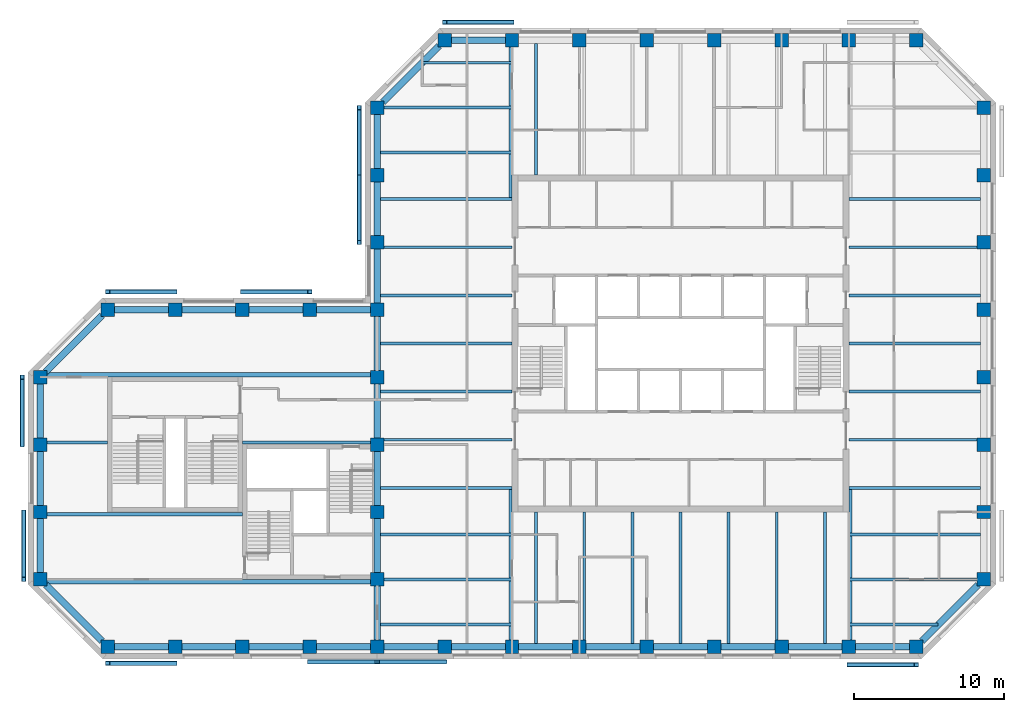
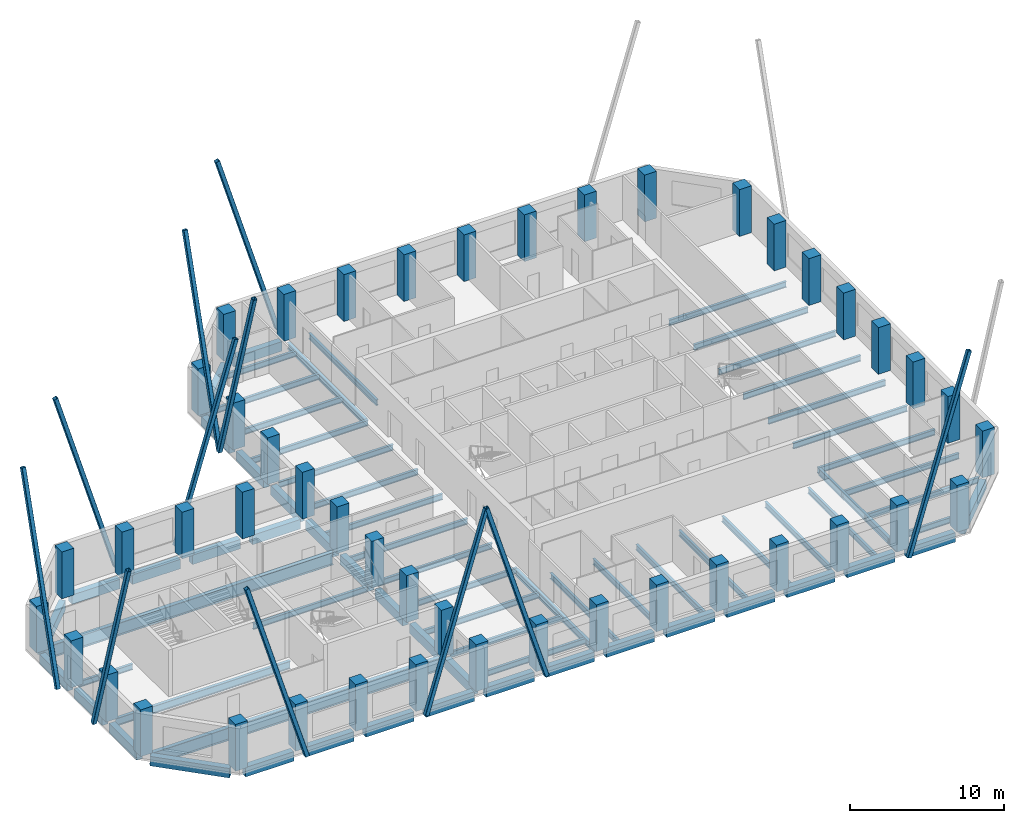
# One storey, part 1 of 9: 71 beams, 45 columns, 11 members.
"""IFC4 building model written with IfcOpenShell, lengths in metres."""

from ifc_helpers import new_model, si_unit, direction, frame, origin, origin_2d, place, context, subcontext, project, spatial, rectangle, hollow_rectangle, i_section, extrude, material, material_profile, profile_set, type_object, element, save


model = new_model("IFC4")

# Units and contexts
model_context = context("Model", 3, precision=1e-05, world=origin(), true_north=direction((0.0, 1.0)))
body_context = subcontext(model_context, "Body", "Model", "MODEL_VIEW")
ifc_project = project(units=[si_unit("LENGTHUNIT", "METRE"), si_unit("AREAUNIT", "SQUARE_METRE"), si_unit("VOLUMEUNIT", "CUBIC_METRE"), si_unit("PLANEANGLEUNIT", "RADIAN"), si_unit("MASSUNIT", "GRAM", prefix="KILO")], contexts=[model_context])

# Site, building, storey
site_placement = place(None, origin())
site = spatial("IfcSite", under=ifc_project, at=site_placement, CompositionType="ELEMENT")
building_placement = place(site_placement, origin())
building = spatial("IfcBuilding", under=site, at=building_placement, Name="Quoin Convention Tower", CompositionType="ELEMENT")
storey_placement = place(building_placement, frame((0.0, 0.0, 173.60009765625)))
storey = spatial("IfcBuildingStorey", under=building, at=storey_placement, Name="L45", CompositionType="ELEMENT", Elevation=173.60009765625)

# Columns
ifc_material_1 = material(Name="Concrete C50", Category="concrete")
ifc_material_profile_1 = material_profile(ifc_material_1, rectangle(XDim=0.89990234375, YDim=0.89990234375, at=origin_2d()), Name="RC 900x900")
ifc_profile_set_1 = profile_set([ifc_material_profile_1], Name="Concrete C50")
column_type = type_object("IfcColumnType", Name="RC 900x900 C50", PredefinedType="COLUMN", material=ifc_profile_set_1)
for number, where, z_axis, x_axis, name in (
    (1, (18.0, 40.5, 0.0), (0.0, 0.0, 1.0), (1.0, 0.0, 0.0), "col-L45-18000_40500"),
    (2, (22.5, 40.5, 0.0), (0.0, 0.0, 1.0), (1.0, 0.0, 0.0), "col-L45-22500_40500"),
    (3, (27.0, 40.5, 0.0), (0.0, 0.0, 1.0), (1.0, 0.0, 0.0), "col-L45-27000_40500"),
    (4, (31.5, 40.5, 0.0), (0.0, 0.0, 1.0), (1.0, 0.0, 0.0), "col-L45-31500_40500"),
    (5, (36.0, 40.5, 0.0), (0.0, 0.0, 1.0), (1.0, 0.0, 0.0), "col-L45-36000_40500"),
    (6, (40.5, 40.5, 0.0), (0.0, 0.0, 1.0), (1.0, 0.0, 0.0), "col-L45-40500_40500"),
    (7, (45.0, 40.5, 0.0), (0.0, 0.0, 1.0), (1.0, 0.0, 0.0), "col-L45-45000_40500"),
    (8, (49.5, 40.5, 0.0), (0.0, 0.0, 1.0), (1.0, 0.0, 0.0), "col-L45-49500_40500"),
    (9, (54.0, 40.5, 0.0), (0.0, 0.0, 1.0), (1.0, 0.0, 0.0), "col-L45-54000_40500"),
    (10, (58.5, 40.5, 0.0), (0.0, 0.0, 1.0), (1.0, 0.0, 0.0), "col-L45-58500_40500"),
    (11, (63.0, 40.5, 0.0), (0.0, 0.0, 1.0), (1.0, 0.0, 0.0), "col-L45-63000_40500"),
    (12, (67.5, 40.5, 0.0), (0.0, 0.0, 1.0), (1.0, 0.0, 0.0), "col-L45-67500_40500"),
    (13, (72.0, 40.5, 0.0), (0.0, 0.0, 1.0), (1.0, 0.0, 0.0), "col-L45-72000_40500"),
    (14, (13.5, 45.0, 0.0), (0.0, 0.0, 1.0), (1.0, 0.0, 0.0), "col-L45-13500_45000"),
    (15, (36.0, 45.0, 0.0), (0.0, 0.0, 1.0), (1.0, 0.0, 0.0), "web-L45-36000_45000"),
    (16, (76.5, 45.0, 0.0), (0.0, 0.0, 1.0), (1.0, 0.0, 0.0), "col-L45-76500_45000"),
    (17, (13.5, 49.5, 0.0), (0.0, 0.0, 1.0), (1.0, 0.0, 0.0), "col-L45-13500_49500"),
    (18, (36.0, 49.5, 0.0), (0.0, 0.0, 1.0), (1.0, 0.0, 0.0), "web-L45-36000_49500"),
    (19, (76.5, 49.5, 0.0), (0.0, 0.0, 1.0), (1.0, 0.0, 0.0), "col-L45-76500_49500"),
    (20, (13.5, 54.0, 0.0), (0.0, 0.0, 1.0), (1.0, 0.0, 0.0), "col-L45-13500_54000"),
    (21, (36.0, 54.0, 0.0), (0.0, 0.0, 1.0), (1.0, 0.0, 0.0), "web-L45-36000_54000"),
    (22, (76.5, 54.0, 0.0), (0.0, 0.0, 1.0), (1.0, 0.0, 0.0), "col-L45-76500_54000"),
    (23, (13.5, 58.5, 0.0), (0.0, 0.0, 1.0), (1.0, 0.0, 0.0), "col-L45-13500_58500"),
    (24, (36.0, 58.5, 0.0), (0.0, 0.0, 1.0), (1.0, 0.0, 0.0), "web-L45-36000_58500"),
    (25, (76.5, 58.5, 0.0), (0.0, 0.0, 1.0), (1.0, 0.0, 0.0), "col-L45-76500_58500"),
    (26, (18.0, 63.0, 0.0), (0.0, 0.0, 1.0), (1.0, 0.0, 0.0), "col-L45-18000_63000"),
    (27, (22.5, 63.0, 0.0), (0.0, 0.0, 1.0), (1.0, 0.0, 0.0), "col-L45-22500_63000"),
    (28, (27.0, 63.0, 0.0), (0.0, 0.0, 1.0), (1.0, 0.0, 0.0), "col-L45-27000_63000"),
    (29, (31.5, 63.0, 0.0), (0.0, 0.0, 1.0), (1.0, 0.0, 0.0), "col-L45-31500_63000"),
    (30, (36.0, 63.0, 0.0), (0.0, 0.0, 1.0), (1.0, 0.0, 0.0), "col-L45-36000_63000"),
    (31, (76.5, 63.0, 0.0), (0.0, 0.0, 1.0), (1.0, 0.0, 0.0), "col-L45-76500_63000"),
    (32, (36.0, 67.5, 0.0), (0.0, 0.0, 1.0), (1.0, 0.0, 0.0), "col-L45-36000_67500"),
    (33, (76.5, 67.5, 0.0), (0.0, 0.0, 1.0), (1.0, 0.0, 0.0), "col-L45-76500_67500"),
    (34, (36.0, 72.0, 0.0), (0.0, 0.0, 1.0), (1.0, 0.0, 0.0), "col-L45-36000_72000"),
    (35, (76.5, 72.0, 0.0), (0.0, 0.0, 1.0), (1.0, 0.0, 0.0), "col-L45-76500_72000"),
    (36, (36.0, 76.5, 0.0), (0.0, 0.0, 1.0), (1.0, 0.0, 0.0), "col-L45-36000_76500"),
    (37, (76.5, 76.5, 0.0), (0.0, 0.0, 1.0), (1.0, 0.0, 0.0), "col-L45-76500_76500"),
    (38, (40.5, 81.0, 0.0), (0.0, 0.0, 1.0), (1.0, 0.0, 0.0), "col-L45-40500_81000"),
    (39, (45.0, 81.0, 0.0), (0.0, 0.0, 1.0), (1.0, 0.0, 0.0), "col-L45-45000_81000"),
    (40, (49.5, 81.0, 0.0), (0.0, 0.0, 1.0), (1.0, 0.0, 0.0), "col-L45-49500_81000"),
    (41, (54.0, 81.0, 0.0), (0.0, 0.0, 1.0), (1.0, 0.0, 0.0), "col-L45-54000_81000"),
    (42, (58.5, 81.0, 0.0), (0.0, 0.0, 1.0), (1.0, 0.0, 0.0), "col-L45-58500_81000"),
    (43, (63.0, 81.0, 0.0), (0.0, 0.0, 1.0), (1.0, 0.0, 0.0), "col-L45-63000_81000"),
    (44, (67.5, 81.0, 0.0), (0.0, 0.0, 1.0), (1.0, 0.0, 0.0), "col-L45-67500_81000"),
    (45, (72.0, 81.0, 0.0), (0.0, 0.0, 1.0), (1.0, 0.0, 0.0), "col-L45-72000_81000"),
):
    element("IfcColumn", number, at=place(storey_placement, frame(where, z_axis=z_axis, x_axis=x_axis)), inside=storey, type_object=column_type, Name=name, PredefinedType="COLUMN", context=body_context, shape_type="SweptSolid", body=[
        extrude(rectangle(XDim=0.89990234375, YDim=0.89990234375, at=origin_2d()), origin(), (0.0, 0.0, 1.0), 3.699951171875),
    ])

# Beams
ifc_material_2 = material(Name="Steel Grade 300", Category="steel")
ifc_material_profile_2 = material_profile(ifc_material_2, i_section(OverallWidth=0.300048828125, OverallDepth=1.0, WebThickness=0.01611328125, FlangeThickness=0.02001953125, at=origin_2d()), Name="1000WB215")
ifc_profile_set_2 = profile_set([ifc_material_profile_2], Name="Steel Grade 300")
beam_type_1 = type_object("IfcBeamType", Name="1000WB215", PredefinedType="BEAM", material=ifc_profile_set_2)
for number, where, z_axis, x_axis, name in (
    (46, (13.949951171875, 44.85009765625, -0.650146484375), (1.0, 0.0, 0.0), (0.0, 1.0, 0.0), "gir-L45-ST2-1-0"),
    (47, (13.949951171875, 58.64990234375, -0.650146484375), (1.0, 0.0, 0.0), (0.0, 1.0, 0.0), "gir-L45-ST2-4-0"),
):
    element("IfcBeam", number, at=place(storey_placement, frame(where, z_axis=z_axis, x_axis=x_axis)), inside=storey, type_object=beam_type_1, Name=name, PredefinedType="BEAM", context=body_context, shape_type="SweptSolid", body=[
        extrude(i_section(OverallWidth=0.300048828125, OverallDepth=1.0, WebThickness=0.01611328125, FlangeThickness=0.02001953125, at=origin_2d()), origin(), (0.0, 0.0, 1.0), 21.60009765625),
    ])
ifc_material_profile_3 = material_profile(ifc_material_2, i_section(OverallWidth=0.18994140625, OverallDepth=0.4541015625, WebThickness=0.008544921875, FlangeThickness=0.0126953125, FilletRadius=0.011474609375, at=origin_2d()), Name="460UB67.1")
ifc_profile_set_3 = profile_set([ifc_material_profile_3], Name="Steel Grade 300")
beam_type_2 = type_object("IfcBeamType", Name="460UB67.1", PredefinedType="BEAM", material=ifc_profile_set_3)
beam_1_placement = place(storey_placement, frame((36.22509765625, 51.107177734375, -0.377197265625), z_axis=(1.0, 0.0, 0.0), x_axis=(0.0, 1.0, 0.0)))
element("IfcBeam", 48, at=beam_1_placement, inside=storey, type_object=beam_type_2, Name="bm-L45-T1W0", PredefinedType="BEAM", context=body_context, shape_type="SweptSolid", body=[
    extrude(i_section(OverallWidth=0.18994140625, OverallDepth=0.4541015625, WebThickness=0.008544921875, FlangeThickness=0.0126953125, FilletRadius=0.011474609375, at=origin_2d()), origin(), (0.0, 0.0, 1.0), 8.77490234375),
])
beam_2_placement = place(storey_placement, frame((36.449951171875, 54.3212890625, -0.377197265625), z_axis=(1.0, 0.0, 0.0), x_axis=(0.0, 1.0, 0.0)))
element("IfcBeam", 49, at=beam_2_placement, inside=storey, type_object=beam_type_2, Name="bm-L45-T1W1", PredefinedType="BEAM", context=body_context, shape_type="SweptSolid", body=[
    extrude(i_section(OverallWidth=0.18994140625, OverallDepth=0.4541015625, WebThickness=0.008544921875, FlangeThickness=0.0126953125, FilletRadius=0.011474609375, at=origin_2d()), origin(), (0.0, 0.0, 1.0), 8.550048828125),
])
for number, where, z_axis, x_axis, name in (
    (50, (36.22509765625, 57.53564453125, -0.377197265625), (1.0, 0.0, 0.0), (0.0, 1.0, 0.0), "bm-L45-T1W2"),
    (51, (36.22509765625, 60.75, -0.377197265625), (1.0, 0.0, 0.0), (0.0, 1.0, 0.0), "bm-L45-T1W3"),
    (52, (36.22509765625, 63.96435546875, -0.377197265625), (1.0, 0.0, 0.0), (0.0, 1.0, 0.0), "bm-L45-T1W4"),
):
    element("IfcBeam", number, at=place(storey_placement, frame(where, z_axis=z_axis, x_axis=x_axis)), inside=storey, type_object=beam_type_2, Name=name, PredefinedType="BEAM", context=body_context, shape_type="SweptSolid", body=[
        extrude(i_section(OverallWidth=0.18994140625, OverallDepth=0.4541015625, WebThickness=0.008544921875, FlangeThickness=0.0126953125, FilletRadius=0.011474609375, at=origin_2d()), origin(), (0.0, 0.0, 1.0), 8.77490234375),
    ])
beam_3_placement = place(storey_placement, frame((36.449951171875, 67.1787109375, -0.377197265625), z_axis=(1.0, 0.0, 0.0), x_axis=(0.0, 1.0, 0.0)))
element("IfcBeam", 53, at=beam_3_placement, inside=storey, type_object=beam_type_2, Name="bm-L45-T1W5", PredefinedType="BEAM", context=body_context, shape_type="SweptSolid", body=[
    extrude(i_section(OverallWidth=0.18994140625, OverallDepth=0.4541015625, WebThickness=0.008544921875, FlangeThickness=0.0126953125, FilletRadius=0.011474609375, at=origin_2d()), origin(), (0.0, 0.0, 1.0), 8.550048828125),
])
for number, where, z_axis, x_axis, name in (
    (54, (36.22509765625, 70.392822265625, -0.377197265625), (1.0, 0.0, 0.0), (0.0, 1.0, 0.0), "bm-L45-T1W6"),
    (55, (67.5, 51.107177734375, -0.377197265625), (1.0, 0.0, 0.0), (0.0, 1.0, 0.0), "bm-L45-T1E0"),
):
    element("IfcBeam", number, at=place(storey_placement, frame(where, z_axis=z_axis, x_axis=x_axis)), inside=storey, type_object=beam_type_2, Name=name, PredefinedType="BEAM", context=body_context, shape_type="SweptSolid", body=[
        extrude(i_section(OverallWidth=0.18994140625, OverallDepth=0.4541015625, WebThickness=0.008544921875, FlangeThickness=0.0126953125, FilletRadius=0.011474609375, at=origin_2d()), origin(), (0.0, 0.0, 1.0), 8.77490234375),
    ])
beam_4_placement = place(storey_placement, frame((67.5, 54.3212890625, -0.377197265625), z_axis=(1.0, 0.0, 0.0), x_axis=(0.0, 1.0, 0.0)))
element("IfcBeam", 56, at=beam_4_placement, inside=storey, type_object=beam_type_2, Name="bm-L45-T1E1", PredefinedType="BEAM", context=body_context, shape_type="SweptSolid", body=[
    extrude(i_section(OverallWidth=0.18994140625, OverallDepth=0.4541015625, WebThickness=0.008544921875, FlangeThickness=0.0126953125, FilletRadius=0.011474609375, at=origin_2d()), origin(), (0.0, 0.0, 1.0), 8.550048828125),
])
for number, where, z_axis, x_axis, name in (
    (57, (67.5, 57.53564453125, -0.377197265625), (1.0, 0.0, 0.0), (0.0, 1.0, 0.0), "bm-L45-T1E2"),
    (58, (67.5, 60.75, -0.377197265625), (1.0, 0.0, 0.0), (0.0, 1.0, 0.0), "bm-L45-T1E3"),
    (59, (67.5, 63.96435546875, -0.377197265625), (1.0, 0.0, 0.0), (0.0, 1.0, 0.0), "bm-L45-T1E4"),
):
    element("IfcBeam", number, at=place(storey_placement, frame(where, z_axis=z_axis, x_axis=x_axis)), inside=storey, type_object=beam_type_2, Name=name, PredefinedType="BEAM", context=body_context, shape_type="SweptSolid", body=[
        extrude(i_section(OverallWidth=0.18994140625, OverallDepth=0.4541015625, WebThickness=0.008544921875, FlangeThickness=0.0126953125, FilletRadius=0.011474609375, at=origin_2d()), origin(), (0.0, 0.0, 1.0), 8.77490234375),
    ])
beam_5_placement = place(storey_placement, frame((67.5, 67.1787109375, -0.377197265625), z_axis=(1.0, 0.0, 0.0), x_axis=(0.0, 1.0, 0.0)))
element("IfcBeam", 60, at=beam_5_placement, inside=storey, type_object=beam_type_2, Name="bm-L45-T1E5", PredefinedType="BEAM", context=body_context, shape_type="SweptSolid", body=[
    extrude(i_section(OverallWidth=0.18994140625, OverallDepth=0.4541015625, WebThickness=0.008544921875, FlangeThickness=0.0126953125, FilletRadius=0.011474609375, at=origin_2d()), origin(), (0.0, 0.0, 1.0), 8.550048828125),
])
for number, where, z_axis, x_axis, name in (
    (61, (67.5, 70.392822265625, -0.377197265625), (1.0, 0.0, 0.0), (0.0, 1.0, 0.0), "bm-L45-T1E6"),
    (62, (46.607177734375, 40.72509765625, -0.377197265625), (0.0, 1.0, 0.0), (-1.0, 0.0, 0.0), "bm-L45-T1S0"),
):
    element("IfcBeam", number, at=place(storey_placement, frame(where, z_axis=z_axis, x_axis=x_axis)), inside=storey, type_object=beam_type_2, Name=name, PredefinedType="BEAM", context=body_context, shape_type="SweptSolid", body=[
        extrude(i_section(OverallWidth=0.18994140625, OverallDepth=0.4541015625, WebThickness=0.008544921875, FlangeThickness=0.0126953125, FilletRadius=0.011474609375, at=origin_2d()), origin(), (0.0, 0.0, 1.0), 8.77490234375),
    ])
beam_6_placement = place(storey_placement, frame((49.8212890625, 40.949951171875, -0.377197265625), z_axis=(0.0, 1.0, 0.0), x_axis=(-1.0, 0.0, 0.0)))
element("IfcBeam", 63, at=beam_6_placement, inside=storey, type_object=beam_type_2, Name="bm-L45-T1S1", PredefinedType="BEAM", context=body_context, shape_type="SweptSolid", body=[
    extrude(i_section(OverallWidth=0.18994140625, OverallDepth=0.4541015625, WebThickness=0.008544921875, FlangeThickness=0.0126953125, FilletRadius=0.011474609375, at=origin_2d()), origin(), (0.0, 0.0, 1.0), 8.550048828125),
])
for number, where, z_axis, x_axis, name in (
    (64, (53.03564453125, 40.72509765625, -0.377197265625), (0.0, 1.0, 0.0), (-1.0, 0.0, 0.0), "bm-L45-T1S2"),
    (65, (56.25, 40.72509765625, -0.377197265625), (0.0, 1.0, 0.0), (-1.0, 0.0, 0.0), "bm-L45-T1S3"),
    (66, (59.46435546875, 40.72509765625, -0.377197265625), (0.0, 1.0, 0.0), (-1.0, 0.0, 0.0), "bm-L45-T1S4"),
):
    element("IfcBeam", number, at=place(storey_placement, frame(where, z_axis=z_axis, x_axis=x_axis)), inside=storey, type_object=beam_type_2, Name=name, PredefinedType="BEAM", context=body_context, shape_type="SweptSolid", body=[
        extrude(i_section(OverallWidth=0.18994140625, OverallDepth=0.4541015625, WebThickness=0.008544921875, FlangeThickness=0.0126953125, FilletRadius=0.011474609375, at=origin_2d()), origin(), (0.0, 0.0, 1.0), 8.77490234375),
    ])
beam_7_placement = place(storey_placement, frame((62.6787109375, 40.949951171875, -0.377197265625), z_axis=(0.0, 1.0, 0.0), x_axis=(-1.0, 0.0, 0.0)))
element("IfcBeam", 67, at=beam_7_placement, inside=storey, type_object=beam_type_2, Name="bm-L45-T1S5", PredefinedType="BEAM", context=body_context, shape_type="SweptSolid", body=[
    extrude(i_section(OverallWidth=0.18994140625, OverallDepth=0.4541015625, WebThickness=0.008544921875, FlangeThickness=0.0126953125, FilletRadius=0.011474609375, at=origin_2d()), origin(), (0.0, 0.0, 1.0), 8.550048828125),
])
for number, where, z_axis, x_axis, name in (
    (68, (65.892822265625, 40.72509765625, -0.377197265625), (0.0, 1.0, 0.0), (-1.0, 0.0, 0.0), "bm-L45-T1S6"),
    (69, (46.607177734375, 72.0, -0.377197265625), (0.0, 1.0, 0.0), (-1.0, 0.0, 0.0), "bm-L45-T1N0"),
    (70, (36.22509765625, 42.0, -0.377197265625), (1.0, 0.0, 0.0), (0.0, 1.0, 0.0), "bm-L45-T1SW0"),
):
    element("IfcBeam", number, at=place(storey_placement, frame(where, z_axis=z_axis, x_axis=x_axis)), inside=storey, type_object=beam_type_2, Name=name, PredefinedType="BEAM", context=body_context, shape_type="SweptSolid", body=[
        extrude(i_section(OverallWidth=0.18994140625, OverallDepth=0.4541015625, WebThickness=0.008544921875, FlangeThickness=0.0126953125, FilletRadius=0.011474609375, at=origin_2d()), origin(), (0.0, 0.0, 1.0), 8.77490234375),
    ])
beam_8_placement = place(storey_placement, frame((36.449951171875, 45.0, -0.377197265625), z_axis=(1.0, 0.0, 0.0), x_axis=(0.0, 1.0, 0.0)))
element("IfcBeam", 71, at=beam_8_placement, inside=storey, type_object=beam_type_2, Name="bm-L45-T1SW1", PredefinedType="BEAM", context=body_context, shape_type="SweptSolid", body=[
    extrude(i_section(OverallWidth=0.18994140625, OverallDepth=0.4541015625, WebThickness=0.008544921875, FlangeThickness=0.0126953125, FilletRadius=0.011474609375, at=origin_2d()), origin(), (0.0, 0.0, 1.0), 8.550048828125),
])
beam_9_placement = place(storey_placement, frame((36.22509765625, 48.0, -0.377197265625), z_axis=(1.0, 0.0, 0.0), x_axis=(0.0, 1.0, 0.0)))
element("IfcBeam", 72, at=beam_9_placement, inside=storey, type_object=beam_type_2, Name="bm-L45-T1SW2", PredefinedType="BEAM", context=body_context, shape_type="SweptSolid", body=[
    extrude(i_section(OverallWidth=0.18994140625, OverallDepth=0.4541015625, WebThickness=0.008544921875, FlangeThickness=0.0126953125, FilletRadius=0.011474609375, at=origin_2d()), origin(), (0.0, 0.0, 1.0), 8.77490234375),
])
beam_10_placement = place(storey_placement, frame((67.5, 42.0, -0.377197265625), z_axis=(1.0, 0.0, 0.0), x_axis=(0.0, 1.0, 0.0)))
element("IfcBeam", 73, at=beam_10_placement, inside=storey, type_object=beam_type_2, Name="bm-L45-T1SE0", PredefinedType="BEAM", context=body_context, shape_type="SweptSolid", body=[
    extrude(i_section(OverallWidth=0.18994140625, OverallDepth=0.4541015625, WebThickness=0.008544921875, FlangeThickness=0.0126953125, FilletRadius=0.011474609375, at=origin_2d()), origin(), (0.0, 0.0, 1.0), 5.935791015625),
])
beam_11_placement = place(storey_placement, frame((67.5, 45.0, -0.377197265625), z_axis=(1.0, 0.0, 0.0), x_axis=(0.0, 1.0, 0.0)))
element("IfcBeam", 74, at=beam_11_placement, inside=storey, type_object=beam_type_2, Name="bm-L45-T1SE1", PredefinedType="BEAM", context=body_context, shape_type="SweptSolid", body=[
    extrude(i_section(OverallWidth=0.18994140625, OverallDepth=0.4541015625, WebThickness=0.008544921875, FlangeThickness=0.0126953125, FilletRadius=0.011474609375, at=origin_2d()), origin(), (0.0, 0.0, 1.0), 8.550048828125),
])
beam_12_placement = place(storey_placement, frame((67.5, 48.0, -0.377197265625), z_axis=(1.0, 0.0, 0.0), x_axis=(0.0, 1.0, 0.0)))
element("IfcBeam", 75, at=beam_12_placement, inside=storey, type_object=beam_type_2, Name="bm-L45-T1SE2", PredefinedType="BEAM", context=body_context, shape_type="SweptSolid", body=[
    extrude(i_section(OverallWidth=0.18994140625, OverallDepth=0.4541015625, WebThickness=0.008544921875, FlangeThickness=0.0126953125, FilletRadius=0.011474609375, at=origin_2d()), origin(), (0.0, 0.0, 1.0), 8.77490234375),
])
beam_13_placement = place(storey_placement, frame((39.064208984375, 79.5, -0.377197265625), z_axis=(1.0, 0.0, 0.0), x_axis=(0.0, 1.0, 0.0)))
element("IfcBeam", 76, at=beam_13_placement, inside=storey, type_object=beam_type_2, Name="bm-L45-T1NW0", PredefinedType="BEAM", context=body_context, shape_type="SweptSolid", body=[
    extrude(i_section(OverallWidth=0.18994140625, OverallDepth=0.4541015625, WebThickness=0.008544921875, FlangeThickness=0.0126953125, FilletRadius=0.011474609375, at=origin_2d()), origin(), (0.0, 0.0, 1.0), 5.935791015625),
])
beam_14_placement = place(storey_placement, frame((36.449951171875, 76.5, -0.377197265625), z_axis=(1.0, 0.0, 0.0), x_axis=(0.0, 1.0, 0.0)))
element("IfcBeam", 77, at=beam_14_placement, inside=storey, type_object=beam_type_2, Name="bm-L45-T1NW1", PredefinedType="BEAM", context=body_context, shape_type="SweptSolid", body=[
    extrude(i_section(OverallWidth=0.18994140625, OverallDepth=0.4541015625, WebThickness=0.008544921875, FlangeThickness=0.0126953125, FilletRadius=0.011474609375, at=origin_2d()), origin(), (0.0, 0.0, 1.0), 8.550048828125),
])
beam_15_placement = place(storey_placement, frame((36.22509765625, 73.5, -0.377197265625), z_axis=(1.0, 0.0, 0.0), x_axis=(0.0, 1.0, 0.0)))
element("IfcBeam", 78, at=beam_15_placement, inside=storey, type_object=beam_type_2, Name="bm-L45-T1NW2", PredefinedType="BEAM", context=body_context, shape_type="SweptSolid", body=[
    extrude(i_section(OverallWidth=0.18994140625, OverallDepth=0.4541015625, WebThickness=0.008544921875, FlangeThickness=0.0126953125, FilletRadius=0.011474609375, at=origin_2d()), origin(), (0.0, 0.0, 1.0), 8.77490234375),
])
beam_16_placement = place(storey_placement, frame((13.949951171875, 54.14990234375, -0.377197265625), z_axis=(1.0, 0.0, 0.0), x_axis=(0.0, 1.0, 0.0)))
element("IfcBeam", 79, at=beam_16_placement, inside=storey, type_object=beam_type_2, Name="gir-L45-ST2-3-0", PredefinedType="BEAM", context=body_context, shape_type="SweptSolid", body=[
    extrude(i_section(OverallWidth=0.18994140625, OverallDepth=0.4541015625, WebThickness=0.008544921875, FlangeThickness=0.0126953125, FilletRadius=0.011474609375, at=origin_2d()), origin(), (0.0, 0.0, 1.0), 4.050048828125),
])
beam_17_placement = place(storey_placement, frame((27.0, 54.14990234375, -0.377197265625), z_axis=(1.0, 0.0, 0.0), x_axis=(0.0, 1.0, 0.0)))
element("IfcBeam", 80, at=beam_17_placement, inside=storey, type_object=beam_type_2, Name="gir-L45-ST2-3-1", PredefinedType="BEAM", context=body_context, shape_type="SweptSolid", body=[
    extrude(i_section(OverallWidth=0.18994140625, OverallDepth=0.4541015625, WebThickness=0.008544921875, FlangeThickness=0.0126953125, FilletRadius=0.011474609375, at=origin_2d()), origin(), (0.0, 0.0, 1.0), 8.550048828125),
])
ifc_material_profile_4 = material_profile(ifc_material_2, i_section(OverallWidth=0.208984375, OverallDepth=0.528076171875, WebThickness=0.009521484375, FlangeThickness=0.01318359375, FilletRadius=0.013916015625, at=origin_2d()), Name="530UB82.0")
ifc_profile_set_4 = profile_set([ifc_material_profile_4], Name="Steel Grade 300")
beam_type_3 = type_object("IfcBeamType", Name="530UB82.0", PredefinedType="BEAM", material=ifc_profile_set_4)
for number, where, z_axis, x_axis, name in (
    (81, (44.904541015625, 40.949951171875, -0.4140625), (0.0, 1.0, 0.0), (-1.0, 0.0, 0.0), "gir-L45-T1SW"),
    (82, (67.595458984375, 40.949951171875, -0.4140625), (0.0, 1.0, 0.0), (-1.0, 0.0, 0.0), "gir-L45-T1SE"),
    (83, (44.904541015625, 80.550048828125, -0.4140625), (0.0, -1.0, 0.0), (1.0, 0.0, 0.0), "gir-L45-T1NW"),
):
    element("IfcBeam", number, at=place(storey_placement, frame(where, z_axis=z_axis, x_axis=x_axis)), inside=storey, type_object=beam_type_3, Name=name, PredefinedType="BEAM", context=body_context, shape_type="SweptSolid", body=[
        extrude(i_section(OverallWidth=0.208984375, OverallDepth=0.528076171875, WebThickness=0.009521484375, FlangeThickness=0.01318359375, FilletRadius=0.013916015625, at=origin_2d()), origin(), (0.0, 0.0, 1.0), 10.062255859375),
    ])
ifc_material_profile_5 = material_profile(ifc_material_2, i_section(OverallWidth=0.22802734375, OverallDepth=0.60205078125, WebThickness=0.010498046875, FlangeThickness=0.014892578125, FilletRadius=0.013916015625, at=origin_2d()), Name="610UB101")
ifc_profile_set_5 = profile_set([ifc_material_profile_5], Name="Steel Grade 300")
beam_type_4 = type_object("IfcBeamType", Name="610UB101", PredefinedType="BEAM", material=ifc_profile_set_5)
beam_18_placement = place(storey_placement, frame((13.949951171875, 49.35009765625, -0.451171875), z_axis=(1.0, 0.0, 0.0), x_axis=(0.0, 1.0, 0.0)))
element("IfcBeam", 84, at=beam_18_placement, inside=storey, type_object=beam_type_4, Name="gir-L45-ST2-2-0", PredefinedType="BEAM", context=body_context, shape_type="SweptSolid", body=[
    extrude(i_section(OverallWidth=0.22802734375, OverallDepth=0.60205078125, WebThickness=0.010498046875, FlangeThickness=0.014892578125, FilletRadius=0.013916015625, at=origin_2d()), origin(), (0.0, 0.0, 1.0), 13.050048828125),
])

# Members
ifc_material_3 = material(Name="Steel C450L0", Category="steel")
ifc_material_profile_6 = material_profile(ifc_material_3, hollow_rectangle(XDim=0.300048828125, YDim=0.300048828125, WallThickness=0.012451171875, InnerFilletRadius=0.018798828125, OuterFilletRadius=0.03125, at=origin_2d()), Name="300x300x12.5SHS")
ifc_profile_set_6 = profile_set([ifc_material_profile_6], Name="Steel C450L0")
member_type = type_object("IfcMemberType", Name="Exposed brace 300x300x12.5SHS", PredefinedType="BRACE", material=ifc_profile_set_6)
for number, where, z_axis, x_axis, name in (
    (85, (12.300048828125, 54.0, -0.0751953125), (0.0, 0.290903487189, 0.956752403259), (-1.0, 0.0, 0.0), "brc-L45-13500_58500-13500_54000"),
    (86, (12.39990234375, 49.5, -0.0751953125), (0.0, -0.290903487189, 0.956752403259), (1.0, 0.0, 0.0), "brc-L45-13500_49500-13500_45000"),
    (87, (22.5, 39.39990234375, -0.0751953125), (-0.290903487189, 0.0, 0.956752403259), (0.0, -1.0, 0.0), "brc-L45-18000_40500-22500_40500"),
    (88, (31.5, 39.5, -0.0751953125), (0.290903487189, 0.0, 0.956752403259), (0.0, 1.0, 0.0), "brc-L45-31500_40500-36000_40500"),
    (89, (40.5, 39.5, -0.0751953125), (-0.290903487189, 0.0, 0.956752403259), (0.0, -1.0, 0.0), "brc-L45-36000_40500-40500_40500"),
    (90, (67.5, 39.300048828125, -0.0751953125), (0.290903487189, 0.0, 0.956752403259), (0.0, 1.0, 0.0), "brc-L45-67500_40500-72000_40500"),
    (91, (27.0, 64.199951171875, -0.0751953125), (0.290903487189, 0.0, 0.956752403259), (0.0, 1.0, 0.0), "brc-L45-31500_63000-27000_63000"),
    (92, (22.5, 64.199951171875, -0.0751953125), (-0.290903487189, 0.0, 0.956752403259), (0.0, -1.0, 0.0), "brc-L45-22500_63000-18000_63000"),
    (93, (34.800048828125, 72.0, -0.0751953125), (0.0, 0.290903487189, 0.956752403259), (-1.0, 0.0, 0.0), "brc-L45-36000_76500-36000_72000"),
    (94, (34.800048828125, 72.0, -0.0751953125), (0.0, -0.290903487189, 0.956752403259), (1.0, 0.0, 0.0), "brc-L45-36000_72000-36000_67500"),
    (95, (45.0, 82.199951171875, -0.0751953125), (-0.290903487189, 0.0, 0.956752403259), (0.0, -1.0, 0.0), "brc-L45-45000_81000-40500_81000"),
):
    element("IfcMember", number, at=place(storey_placement, frame(where, z_axis=z_axis, x_axis=x_axis)), inside=storey, type_object=member_type, Name=name, PredefinedType="BRACE", context=body_context, shape_type="SweptSolid", body=[
        extrude(hollow_rectangle(XDim=0.300048828125, YDim=0.300048828125, WallThickness=0.012451171875, InnerFilletRadius=0.018798828125, OuterFilletRadius=0.03125, at=origin_2d()), origin(), (0.0, 0.0, 1.0), 15.468994140625),
    ])

# Beams
ifc_material_profile_7 = material_profile(ifc_material_1, rectangle(XDim=0.449951171875, YDim=0.75, at=origin_2d()), Name="RC 450x750")
ifc_profile_set_7 = profile_set([ifc_material_profile_7], Name="Concrete C50")
beam_type_5 = type_object("IfcBeamType", Name="RC 450x750 C50", PredefinedType="SPANDREL", material=ifc_profile_set_7)
for number, where, z_axis, x_axis, name in (
    (96, (36.449951171875, 40.5, -0.525146484375), (1.0, 0.0, 0.0), (0.0, 1.0, 0.0), "spd-L45-36000_40500-40500_40500"),
    (97, (40.949951171875, 40.5, -0.525146484375), (1.0, 0.0, 0.0), (0.0, 1.0, 0.0), "spd-L45-40500_40500-45000_40500"),
    (98, (45.449951171875, 40.5, -0.525146484375), (1.0, 0.0, 0.0), (0.0, 1.0, 0.0), "spd-L45-45000_40500-49500_40500"),
    (99, (49.949951171875, 40.5, -0.525146484375), (1.0, 0.0, 0.0), (0.0, 1.0, 0.0), "spd-L45-49500_40500-54000_40500"),
    (100, (54.449951171875, 40.5, -0.525146484375), (1.0, 0.0, 0.0), (0.0, 1.0, 0.0), "spd-L45-54000_40500-58500_40500"),
    (101, (58.949951171875, 40.5, -0.525146484375), (1.0, 0.0, 0.0), (0.0, 1.0, 0.0), "spd-L45-58500_40500-63000_40500"),
    (102, (63.449951171875, 40.5, -0.525146484375), (1.0, 0.0, 0.0), (0.0, 1.0, 0.0), "spd-L45-63000_40500-67500_40500"),
    (103, (67.949951171875, 40.5, -0.525146484375), (1.0, 0.0, 0.0), (0.0, 1.0, 0.0), "spd-L45-67500_40500-72000_40500"),
):
    element("IfcBeam", number, at=place(storey_placement, frame(where, z_axis=z_axis, x_axis=x_axis)), inside=storey, type_object=beam_type_5, Name=name, PredefinedType="SPANDREL", context=body_context, shape_type="SweptSolid", body=[
        extrude(rectangle(XDim=0.449951171875, YDim=0.75, at=origin_2d()), origin(), (0.0, 0.0, 1.0), 3.60009765625),
    ])
beam_19_placement = place(storey_placement, frame((72.364990234375, 40.864990234375, -0.525146484375), z_axis=(0.707106781187, 0.707106781187, 0.0), x_axis=(-0.707106781187, 0.707106781187, 0.0)))
element("IfcBeam", 104, at=beam_19_placement, inside=storey, type_object=beam_type_5, Name="spd-L45-72000_40500-76500_45000", PredefinedType="SPANDREL", context=body_context, shape_type="SweptSolid", body=[
    extrude(rectangle(XDim=0.449951171875, YDim=0.75, at=origin_2d()), origin(), (0.0, 0.0, 1.0), 5.33154296875),
])
beam_20_placement = place(storey_placement, frame((44.550048828125, 81.0, -0.525146484375), z_axis=(-1.0, 0.0, 0.0), x_axis=(0.0, -1.0, 0.0)))
element("IfcBeam", 105, at=beam_20_placement, inside=storey, type_object=beam_type_5, Name="spd-L45-45000_81000-40500_81000", PredefinedType="SPANDREL", context=body_context, shape_type="SweptSolid", body=[
    extrude(rectangle(XDim=0.449951171875, YDim=0.75, at=origin_2d()), origin(), (0.0, 0.0, 1.0), 3.60009765625),
])
beam_21_placement = place(storey_placement, frame((40.135009765625, 80.635009765625, -0.525146484375), z_axis=(-0.707106781187, -0.707106781187, 0.0), x_axis=(0.707106781187, -0.707106781187, 0.0)))
element("IfcBeam", 106, at=beam_21_placement, inside=storey, type_object=beam_type_5, Name="spd-L45-40500_81000-36000_76500", PredefinedType="SPANDREL", context=body_context, shape_type="SweptSolid", body=[
    extrude(rectangle(XDim=0.449951171875, YDim=0.75, at=origin_2d()), origin(), (0.0, 0.0, 1.0), 5.33154296875),
])
for number, where, z_axis, x_axis, name in (
    (107, (36.0, 76.050048828125, -0.525146484375), (0.0, -1.0, 0.0), (1.0, 0.0, 0.0), "spd-L45-36000_76500-36000_72000"),
    (108, (36.0, 71.550048828125, -0.525146484375), (0.0, -1.0, 0.0), (1.0, 0.0, 0.0), "spd-L45-36000_72000-36000_67500"),
    (109, (36.0, 67.050048828125, -0.525146484375), (0.0, -1.0, 0.0), (1.0, 0.0, 0.0), "spd-L45-36000_67500-36000_63000"),
    (110, (35.550048828125, 63.0, -0.525146484375), (-1.0, 0.0, 0.0), (0.0, -1.0, 0.0), "spd-L45-36000_63000-31500_63000"),
    (111, (31.050048828125, 63.0, -0.525146484375), (-1.0, 0.0, 0.0), (0.0, -1.0, 0.0), "spd-L45-31500_63000-27000_63000"),
    (112, (26.550048828125, 63.0, -0.525146484375), (-1.0, 0.0, 0.0), (0.0, -1.0, 0.0), "spd-L45-27000_63000-22500_63000"),
    (113, (22.050048828125, 63.0, -0.525146484375), (-1.0, 0.0, 0.0), (0.0, -1.0, 0.0), "spd-L45-22500_63000-18000_63000"),
):
    element("IfcBeam", number, at=place(storey_placement, frame(where, z_axis=z_axis, x_axis=x_axis)), inside=storey, type_object=beam_type_5, Name=name, PredefinedType="SPANDREL", context=body_context, shape_type="SweptSolid", body=[
        extrude(rectangle(XDim=0.449951171875, YDim=0.75, at=origin_2d()), origin(), (0.0, 0.0, 1.0), 3.60009765625),
    ])
beam_22_placement = place(storey_placement, frame((17.635009765625, 62.635009765625, -0.525146484375), z_axis=(-0.707106781187, -0.707106781187, 0.0), x_axis=(0.707106781187, -0.707106781187, 0.0)))
element("IfcBeam", 114, at=beam_22_placement, inside=storey, type_object=beam_type_5, Name="spd-L45-18000_63000-13500_58500", PredefinedType="SPANDREL", context=body_context, shape_type="SweptSolid", body=[
    extrude(rectangle(XDim=0.449951171875, YDim=0.75, at=origin_2d()), origin(), (0.0, 0.0, 1.0), 5.33154296875),
])
for number, where, z_axis, x_axis, name in (
    (115, (13.5, 58.050048828125, -0.525146484375), (0.0, -1.0, 0.0), (1.0, 0.0, 0.0), "spd-L45-13500_58500-13500_54000"),
    (116, (13.5, 53.550048828125, -0.525146484375), (0.0, -1.0, 0.0), (1.0, 0.0, 0.0), "spd-L45-13500_54000-13500_49500"),
    (117, (13.5, 49.050048828125, -0.525146484375), (0.0, -1.0, 0.0), (1.0, 0.0, 0.0), "spd-L45-13500_49500-13500_45000"),
):
    element("IfcBeam", number, at=place(storey_placement, frame(where, z_axis=z_axis, x_axis=x_axis)), inside=storey, type_object=beam_type_5, Name=name, PredefinedType="SPANDREL", context=body_context, shape_type="SweptSolid", body=[
        extrude(rectangle(XDim=0.449951171875, YDim=0.75, at=origin_2d()), origin(), (0.0, 0.0, 1.0), 3.60009765625),
    ])
beam_23_placement = place(storey_placement, frame((13.864990234375, 44.635009765625, -0.525146484375), z_axis=(0.707106781187, -0.707106781187, 0.0), x_axis=(0.707106781187, 0.707106781187, 0.0)))
element("IfcBeam", 118, at=beam_23_placement, inside=storey, type_object=beam_type_5, Name="spd-L45-13500_45000-18000_40500", PredefinedType="SPANDREL", context=body_context, shape_type="SweptSolid", body=[
    extrude(rectangle(XDim=0.449951171875, YDim=0.75, at=origin_2d()), origin(), (0.0, 0.0, 1.0), 5.33154296875),
])
for number, where, z_axis, x_axis, name in (
    (119, (18.449951171875, 40.5, -0.525146484375), (1.0, 0.0, 0.0), (0.0, 1.0, 0.0), "spd-L45-18000_40500-22500_40500"),
    (120, (22.949951171875, 40.5, -0.525146484375), (1.0, 0.0, 0.0), (0.0, 1.0, 0.0), "spd-L45-22500_40500-27000_40500"),
    (121, (27.449951171875, 40.5, -0.525146484375), (1.0, 0.0, 0.0), (0.0, 1.0, 0.0), "spd-L45-27000_40500-31500_40500"),
    (122, (31.949951171875, 40.5, -0.525146484375), (1.0, 0.0, 0.0), (0.0, 1.0, 0.0), "spd-L45-31500_40500-36000_40500"),
    (123, (36.0, 40.949951171875, -0.525146484375), (0.0, 1.0, 0.0), (-1.0, 0.0, 0.0), "spd-L45-36000_40500-36000_45000"),
    (124, (36.0, 45.449951171875, -0.525146484375), (0.0, 1.0, 0.0), (-1.0, 0.0, 0.0), "spd-L45-36000_45000-36000_49500"),
    (125, (36.0, 49.949951171875, -0.525146484375), (0.0, 1.0, 0.0), (-1.0, 0.0, 0.0), "spd-L45-36000_49500-36000_54000"),
    (126, (36.0, 54.449951171875, -0.525146484375), (0.0, 1.0, 0.0), (-1.0, 0.0, 0.0), "spd-L45-36000_54000-36000_58500"),
    (127, (36.0, 58.949951171875, -0.525146484375), (0.0, 1.0, 0.0), (-1.0, 0.0, 0.0), "spd-L45-36000_58500-36000_63000"),
):
    element("IfcBeam", number, at=place(storey_placement, frame(where, z_axis=z_axis, x_axis=x_axis)), inside=storey, type_object=beam_type_5, Name=name, PredefinedType="SPANDREL", context=body_context, shape_type="SweptSolid", body=[
        extrude(rectangle(XDim=0.449951171875, YDim=0.75, at=origin_2d()), origin(), (0.0, 0.0, 1.0), 3.60009765625),
    ])

save(model, "model.ifc")
